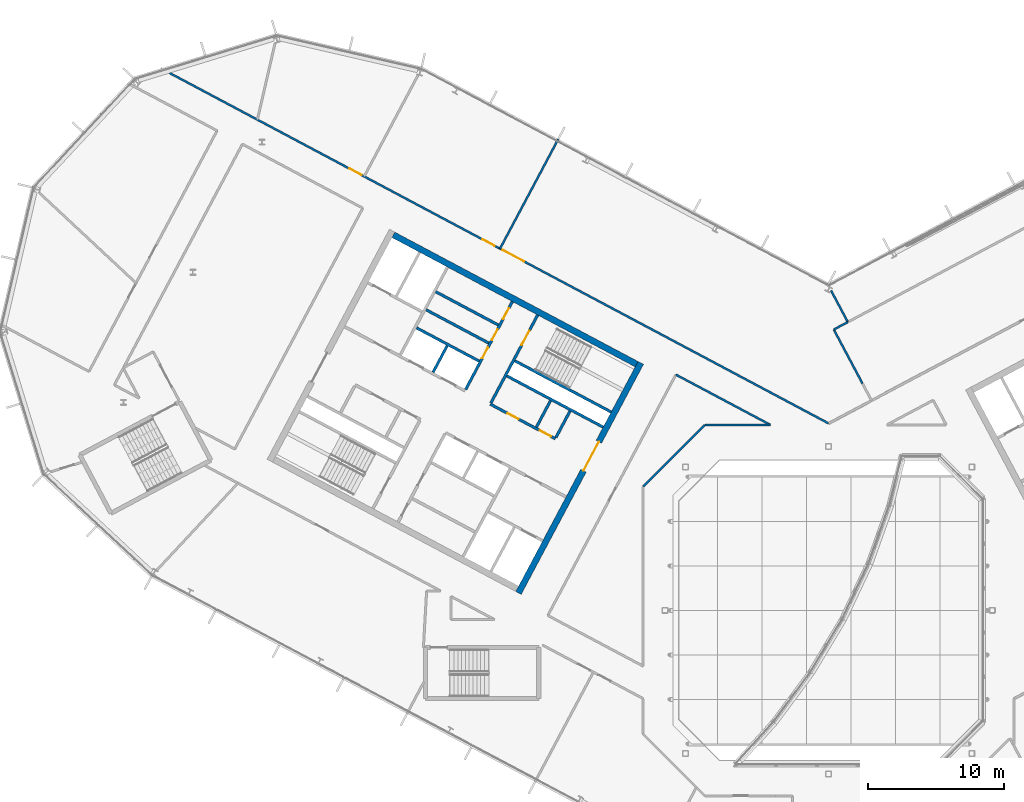
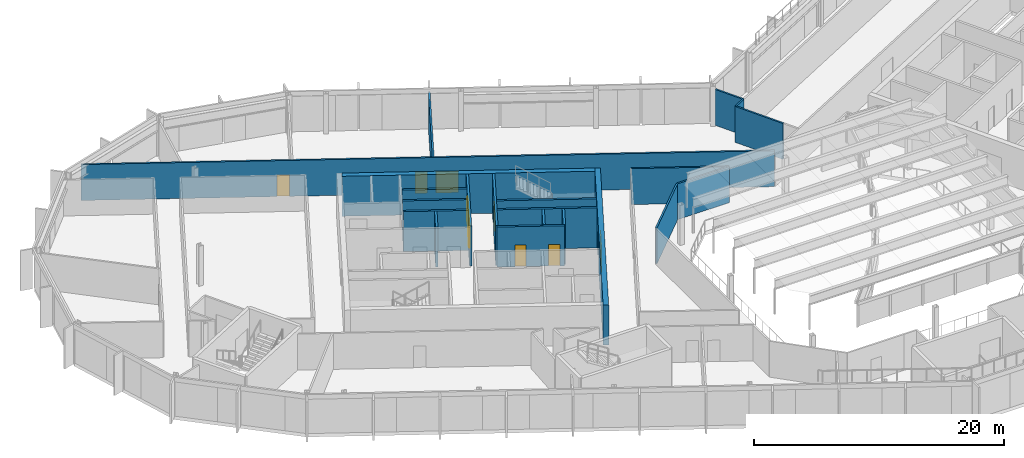
# One storey, part 25 of 35: 21 walls, 10 doors, 10 openings.
"""IFC4 building model written with IfcOpenShell, lengths in metres."""

from ifc_helpers import new_model, si_unit, direction, frame, frame_2d, origin, place, context, subcontext, project, spatial, rectangle, extrude, material, layer, layer_set, type_object, element, fill, save


model = new_model("IFC4")

# Units and contexts
model_context = context("Model", 3, precision=1e-05, world=origin(), true_north=direction((0.0, 1.0)))
body_context = subcontext(model_context, "Body", "Model", "MODEL_VIEW")
ifc_project = project(units=[si_unit("LENGTHUNIT", "METRE"), si_unit("AREAUNIT", "SQUARE_METRE"), si_unit("VOLUMEUNIT", "CUBIC_METRE"), si_unit("PLANEANGLEUNIT", "RADIAN"), si_unit("MASSUNIT", "GRAM", prefix="KILO")], contexts=[model_context])

# Site, building, storey
site_placement = place(None, origin())
site = spatial("IfcSite", under=ifc_project, at=site_placement, CompositionType="ELEMENT")
building_placement = place(site_placement, origin())
building = spatial("IfcBuilding", under=site, at=building_placement, Name="Cormorant Relay Tower", CompositionType="ELEMENT")
storey_placement = place(building_placement, frame((0.0, 0.0, 324.300048828125)))
storey = spatial("IfcBuildingStorey", under=building, at=storey_placement, Name="L74", CompositionType="ELEMENT", Elevation=324.300048828125)

# Walls
ifc_material_1 = material(Name="Concrete 40 MPa", Category="concrete")
ifc_layer_1 = layer(ifc_material_1, 0.199951171875)
ifc_layer_set_1 = layer_set([ifc_layer_1], Name="Core internal wall 200")
wall_type_1 = type_object("IfcWallType", Name="Core internal wall 200", PredefinedType="SOLIDWALL", material=ifc_layer_set_1)
for number, where, z_axis, x_axis, name in (
    (1, (-20.39013671875, 15.371826171875, 0.0), (0.0, 0.0, 1.0), (-0.4694473164, -0.882960484464, 0.0), "L74 core A shaft and room wall"),
    (2, (-27.9658203125, 19.39990234375, 0.0), (0.0, 0.0, 1.0), (-0.4694473164, -0.882960484464, 0.0), "L74 core A shaft and room wall"),
):
    element("IfcWall", number, at=place(storey_placement, frame(where, z_axis=z_axis, x_axis=x_axis)), inside=storey, type_object=wall_type_1, Name=name, PredefinedType="SOLIDWALL", context=body_context, shape_type="SweptSolid", body=[
        extrude(rectangle(XDim=2.199951171875, YDim=0.199951171875, at=frame_2d((1.10009765625, 0.0))), origin(), (0.0, 0.0, 1.0), 3.89990234375),
    ])
wall_1_placement = place(storey_placement, frame((-24.214599609375, 20.91650390625, 0.0), z_axis=(0.0, 0.0, 1.0), x_axis=(-0.882964314875, 0.469440111896, 0.0)))
element("IfcWall", 3, at=wall_1_placement, inside=storey, type_object=wall_type_1, Name="L74 core A shaft and room wall", PredefinedType="SOLIDWALL", context=body_context, shape_type="SweptSolid", body=[
    extrude(rectangle(XDim=5.2001953125, YDim=0.199951171875, at=frame_2d((2.60009765625, 0.0))), origin(), (0.0, 0.0, 1.0), 3.89990234375),
])
wall_2_placement = place(storey_placement, frame((-24.9189453125, 19.592041015625, 0.0), z_axis=(0.0, 0.0, 1.0), x_axis=(-0.882953967957, 0.469459572775, 0.0)))
element("IfcWall", 4, at=wall_2_placement, inside=storey, type_object=wall_type_1, Name="L74 core A shaft and room wall", PredefinedType="SOLIDWALL", context=body_context, shape_type="SweptSolid", body=[
    extrude(rectangle(XDim=5.199951171875, YDim=0.199951171875, at=frame_2d((2.60009765625, 0.0))), origin(), (0.0, 0.0, 1.0), 3.89990234375),
])
ifc_material_2 = material(Name="Concrete 50 MPa", Category="concrete")
ifc_layer_2 = layer(ifc_material_2, 0.199951171875)
ifc_layer_set_2 = layer_set([ifc_layer_2], Name="Core shaft wall 200")
wall_type_2 = type_object("IfcWallType", Name="Core shaft wall 200", PredefinedType="SHEAR", material=ifc_layer_set_2)
wall_3_placement = place(storey_placement, frame((-18.959716796875, 14.611328125, 0.0), z_axis=(0.0, 0.0, 1.0), x_axis=(-0.4694473164, -0.882960484464, 0.0)))
element("IfcWall", 5, at=wall_3_placement, inside=storey, type_object=wall_type_2, Name="L74 core A shaft wall", PredefinedType="SHEAR", context=body_context, shape_type="SweptSolid", body=[
    extrude(rectangle(XDim=2.199951171875, YDim=0.199951171875, at=frame_2d((1.10009765625, 0.0))), origin(), (0.0, 0.0, 1.0), 3.89990234375),
])

# Wall, opening, door
wall_4_placement = place(storey_placement, frame((-21.333251953125, 21.6494140625, 0.0), z_axis=(0.0, 0.0, 1.0), x_axis=(-0.469494272526, -0.882935517501, 0.0)))
wall_4 = element("IfcWall", 6, at=wall_4_placement, inside=storey, type_object=wall_type_2, Name="L74 core A shaft wall", PredefinedType="SHEAR", context=body_context, shape_type="SweptSolid", body=[
    extrude(rectangle(XDim=7.2998046875, YDim=0.199951171875, at=frame_2d((3.64990234375, 0.0))), origin(), (0.0, 0.0, 1.0), 3.89990234375),
])
opening_1_placement = place(wall_4_placement, frame((1.300048828125, 0.0, 0.0)))
opening_1 = element("IfcOpeningElement", 7, at=opening_1_placement, cuts=wall_4, Name="Opening CDB-038", PredefinedType="OPENING", context=body_context, shape_type="SweptSolid", body=[
    extrude(rectangle(XDim=1.199951171875, YDim=2.10009765625, at=frame_2d((0.60009765625, 1.050048828125))), frame((0.0, 0.10986328125, 0.0), z_axis=(0.0, -1.0, 0.0), x_axis=(1.0, 0.0, 0.0)), (0.0, 0.0, 1.0), 0.219970703125),
])
ifc_material_3 = material(Name="Steel fire door", Category="steel")
door_type_1 = type_object("IfcDoorType", Name="Core stair door 1200x2100", OperationType="SINGLE_SWING_LEFT", PredefinedType="DOOR", material=ifc_material_3)
door_1_placement = place(opening_1_placement, origin())
door_1 = element("IfcDoor", 8, at=door_1_placement, inside=storey, type_object=door_type_1, Name="Core stair door 1200x2100", OperationType="SINGLE_SWING_RIGHT", OverallHeight=2.10009765625, OverallWidth=1.199951171875, PredefinedType="DOOR", context=body_context, shape_type="SweptSolid", body=[
    extrude(rectangle(XDim=1.199951171875, YDim=2.10009765625, at=frame_2d((0.60009765625, 1.050048828125))), frame((0.0, 0.02490234375, 0.0), z_axis=(0.0, -1.0, 0.0), x_axis=(1.0, 0.0, 0.0)), (0.0, 0.0, 1.0), 0.050048828125),
])
fill(opening_1, door_1)

# Wall, openings, doors
wall_5_placement = place(storey_placement, frame((-23.1875, 22.635498046875, 0.0), z_axis=(0.0, 0.0, 1.0), x_axis=(-0.469454336211, -0.882956752176, 0.0)))
wall_5 = element("IfcWall", 9, at=wall_5_placement, inside=storey, type_object=wall_type_2, Name="L74 core A shaft wall", PredefinedType="SHEAR", context=body_context, shape_type="SweptSolid", body=[
    extrude(rectangle(XDim=7.300048828125, YDim=0.199951171875, at=frame_2d((3.64990234375, 0.0))), origin(), (0.0, 0.0, 1.0), 3.89990234375),
])
opening_2_placement = place(wall_5_placement, frame((0.550048828125, 0.0, 0.0)))
opening_2 = element("IfcOpeningElement", 10, at=opening_2_placement, cuts=wall_5, Name="Opening CDD-257", PredefinedType="OPENING", context=body_context, shape_type="SweptSolid", body=[
    extrude(rectangle(XDim=0.89990234375, YDim=2.10009765625, at=frame_2d((0.449951171875, 1.050048828125))), frame((0.0, 0.10986328125, 0.0), z_axis=(0.0, -1.0, 0.0), x_axis=(1.0, 0.0, 0.0)), (0.0, 0.0, 1.0), 0.219970703125),
])
opening_3_placement = place(wall_5_placement, frame((2.300048828125, 0.0, 0.0)))
opening_3 = element("IfcOpeningElement", 11, at=opening_3_placement, cuts=wall_5, Name="Opening CDD-258", PredefinedType="OPENING", context=body_context, shape_type="SweptSolid", body=[
    extrude(rectangle(XDim=0.89990234375, YDim=2.10009765625, at=frame_2d((0.449951171875, 1.050048828125))), frame((0.0, 0.10986328125, 0.0), z_axis=(0.0, -1.0, 0.0), x_axis=(1.0, 0.0, 0.0)), (0.0, 0.0, 1.0), 0.219970703125),
])
opening_4_placement = place(wall_5_placement, frame((3.800048828125, 0.0, 0.0)))
opening_4 = element("IfcOpeningElement", 12, at=opening_4_placement, cuts=wall_5, Name="Opening CDD-259", PredefinedType="OPENING", context=body_context, shape_type="SweptSolid", body=[
    extrude(rectangle(XDim=0.89990234375, YDim=2.10009765625, at=frame_2d((0.449951171875, 1.050048828125))), frame((0.0, 0.10986328125, 0.0), z_axis=(0.0, -1.0, 0.0), x_axis=(1.0, 0.0, 0.0)), (0.0, 0.0, 1.0), 0.219970703125),
])
ifc_material_4 = material(Name="Steel fire door", Category="steel")
door_type_2 = type_object("IfcDoorType", Name="Core room door 900x2100", OperationType="SINGLE_SWING_LEFT", PredefinedType="DOOR", material=ifc_material_4)
door_2_placement = place(opening_2_placement, origin())
door_2 = element("IfcDoor", 13, at=door_2_placement, inside=storey, type_object=door_type_2, Name="Core room door 900x2100", OperationType="SINGLE_SWING_LEFT", OverallHeight=2.10009765625, OverallWidth=0.89990234375, PredefinedType="DOOR", context=body_context, shape_type="SweptSolid", body=[
    extrude(rectangle(XDim=0.89990234375, YDim=2.10009765625, at=frame_2d((0.449951171875, 1.050048828125))), frame((0.0, 0.02490234375, 0.0), z_axis=(0.0, -1.0, 0.0), x_axis=(1.0, 0.0, 0.0)), (0.0, 0.0, 1.0), 0.050048828125),
])
fill(opening_2, door_2)
door_3_placement = place(opening_3_placement, origin())
door_3 = element("IfcDoor", 14, at=door_3_placement, inside=storey, type_object=door_type_2, Name="Core room door 900x2100", OperationType="SINGLE_SWING_LEFT", OverallHeight=2.10009765625, OverallWidth=0.89990234375, PredefinedType="DOOR", context=body_context, shape_type="SweptSolid", body=[
    extrude(rectangle(XDim=0.89990234375, YDim=2.10009765625, at=frame_2d((0.449951171875, 1.050048828125))), frame((0.0, 0.02490234375, 0.0), z_axis=(0.0, -1.0, 0.0), x_axis=(1.0, 0.0, 0.0)), (0.0, 0.0, 1.0), 0.050048828125),
])
fill(opening_3, door_3)
door_4_placement = place(opening_4_placement, origin())
door_4 = element("IfcDoor", 15, at=door_4_placement, inside=storey, type_object=door_type_2, Name="Core room door 900x2100", OperationType="SINGLE_SWING_LEFT", OverallHeight=2.10009765625, OverallWidth=0.89990234375, PredefinedType="DOOR", context=body_context, shape_type="SweptSolid", body=[
    extrude(rectangle(XDim=0.89990234375, YDim=2.10009765625, at=frame_2d((0.449951171875, 1.050048828125))), frame((0.0, 0.02490234375, 0.0), z_axis=(0.0, -1.0, 0.0), x_axis=(1.0, 0.0, 0.0)), (0.0, 0.0, 1.0), 0.050048828125),
])
fill(opening_4, door_4)

# Walls
wall_6_placement = place(storey_placement, frame((-15.94189453125, 14.53564453125, 0.0), z_axis=(0.0, 0.0, 1.0), x_axis=(-0.882946947542, 0.469472776449, 0.0)))
element("IfcWall", 16, at=wall_6_placement, inside=storey, type_object=wall_type_2, Name="L74 core A shaft wall", PredefinedType="SHEAR", context=body_context, shape_type="SweptSolid", body=[
    extrude(rectangle(XDim=8.000244140625, YDim=0.199951171875, at=frame_2d((4.0, 0.0))), origin(), (0.0, 0.0, 1.0), 3.89990234375),
])
wall_7_placement = place(storey_placement, frame((-16.52880859375, 13.43212890625, 0.0), z_axis=(0.0, 0.0, 1.0), x_axis=(-0.88295287151, 0.469461634952, 0.0)))
element("IfcWall", 17, at=wall_7_placement, inside=storey, type_object=wall_type_2, Name="L74 core A shaft wall", PredefinedType="SHEAR", context=body_context, shape_type="SweptSolid", body=[
    extrude(rectangle(XDim=7.999755859375, YDim=0.199951171875, at=frame_2d((4.0, 0.0))), origin(), (0.0, 0.0, 1.0), 3.89990234375),
])
wall_8_placement = place(storey_placement, frame((-25.623046875, 18.267578125, 0.0), z_axis=(0.0, 0.0, 1.0), x_axis=(-0.882953967957, 0.469459572775, 0.0)))
element("IfcWall", 18, at=wall_8_placement, inside=storey, type_object=wall_type_2, Name="L74 core A shaft wall", PredefinedType="SHEAR", context=body_context, shape_type="SweptSolid", body=[
    extrude(rectangle(XDim=5.199951171875, YDim=0.199951171875, at=frame_2d((2.60009765625, 0.0))), origin(), (0.0, 0.0, 1.0), 3.89990234375),
])

# Wall, openings, doors
wall_9_placement = place(storey_placement, frame((-20.03955078125, 12.58056640625, 0.0), z_axis=(0.0, 0.0, 1.0), x_axis=(-0.882942972946, 0.469480251476, 0.0)))
wall_9 = element("IfcWall", 19, at=wall_9_placement, inside=storey, type_object=wall_type_2, Name="L74 core A shaft wall", PredefinedType="SHEAR", context=body_context, shape_type="SweptSolid", body=[
    extrude(rectangle(XDim=5.39990234375, YDim=0.199951171875, at=frame_2d((2.699951171875, 0.0))), origin(), (0.0, 0.0, 1.0), 3.89990234375),
])
opening_5_placement = place(wall_9_placement, frame((0.360107421875, 0.0, 0.0)))
opening_5 = element("IfcOpeningElement", 20, at=opening_5_placement, cuts=wall_9, Name="Opening CDD-337", PredefinedType="OPENING", context=body_context, shape_type="SweptSolid", body=[
    extrude(rectangle(XDim=0.89990234375, YDim=2.10009765625, at=frame_2d((0.449951171875, 1.050048828125))), frame((0.0, 0.10986328125, 0.0), z_axis=(0.0, -1.0, 0.0), x_axis=(1.0, 0.0, 0.0)), (0.0, 0.0, 1.0), 0.219970703125),
])
opening_6_placement = place(wall_9_placement, frame((3.06005859375, 0.0, 0.0)))
opening_6 = element("IfcOpeningElement", 21, at=opening_6_placement, cuts=wall_9, Name="Opening CDD-323", PredefinedType="OPENING", context=body_context, shape_type="SweptSolid", body=[
    extrude(rectangle(XDim=0.89990234375, YDim=2.10009765625, at=frame_2d((0.449951171875, 1.050048828125))), frame((0.0, 0.10986328125, 0.0), z_axis=(0.0, -1.0, 0.0), x_axis=(1.0, 0.0, 0.0)), (0.0, 0.0, 1.0), 0.219970703125),
])
door_5_placement = place(opening_5_placement, frame((0.89990234375, 0.0, 0.0), z_axis=(0.0, 0.0, 1.0), x_axis=(-1.0, 0.0, 0.0)))
door_5 = element("IfcDoor", 22, at=door_5_placement, inside=storey, type_object=door_type_2, Name="Core room door 900x2100", OperationType="SINGLE_SWING_RIGHT", OverallHeight=2.10009765625, OverallWidth=0.89990234375, PredefinedType="DOOR", context=body_context, shape_type="SweptSolid", body=[
    extrude(rectangle(XDim=0.89990234375, YDim=2.10009765625, at=frame_2d((0.449951171875, 1.050048828125))), frame((0.0, 0.02490234375, 0.0), z_axis=(0.0, -1.0, 0.0), x_axis=(1.0, 0.0, 0.0)), (0.0, 0.0, 1.0), 0.050048828125),
])
fill(opening_5, door_5)
door_6_placement = place(opening_6_placement, origin())
door_6 = element("IfcDoor", 23, at=door_6_placement, inside=storey, type_object=door_type_2, Name="Core room door 900x2100", OperationType="SINGLE_SWING_LEFT", OverallHeight=2.10009765625, OverallWidth=0.89990234375, PredefinedType="DOOR", context=body_context, shape_type="SweptSolid", body=[
    extrude(rectangle(XDim=0.89990234375, YDim=2.10009765625, at=frame_2d((0.449951171875, 1.050048828125))), frame((0.0, 0.02490234375, 0.0), z_axis=(0.0, -1.0, 0.0), x_axis=(1.0, 0.0, 0.0)), (0.0, 0.0, 1.0), 0.050048828125),
])
fill(opening_6, door_6)

# Wall, opening, door
ifc_material_5 = material(Name="Concrete 50 MPa", Category="concrete")
ifc_layer_3 = layer(ifc_material_5, 0.449951171875)
ifc_layer_set_3 = layer_set([ifc_layer_3], Name="Core wall 450")
wall_type_3 = type_object("IfcWallType", Name="Core wall 450", PredefinedType="SHEAR", material=ifc_layer_set_3)
wall_10_placement = place(storey_placement, frame((-13.771484375, 18.138427734375, 0.0), z_axis=(0.0, 0.0, 1.0), x_axis=(-0.469467968382, -0.882949504028, 0.0)))
wall_10 = element("IfcWall", 24, at=wall_10_placement, inside=storey, type_object=wall_type_3, Name="L74 core A wall", PredefinedType="SHEAR", context=body_context, shape_type="SweptSolid", body=[
    extrude(rectangle(XDim=19.099853515625, YDim=0.449951171875, at=frame_2d((9.5498046875, 0.0))), origin(), (0.0, 0.0, 1.0), 3.89990234375),
])
opening_7_placement = place(wall_10_placement, frame((6.550048828125, 0.0, 0.0)))
opening_7 = element("IfcOpeningElement", 25, at=opening_7_placement, cuts=wall_10, Name="Opening CDA-054", PredefinedType="OPENING", context=body_context, shape_type="SweptSolid", body=[
    extrude(rectangle(XDim=2.39990234375, YDim=2.39990234375, at=frame_2d((1.199951171875, 1.199951171875))), frame((0.0, 0.23486328125, 0.0), z_axis=(0.0, -1.0, 0.0), x_axis=(1.0, 0.0, 0.0)), (0.0, 0.0, 1.0), 0.469970703125),
])
ifc_material_6 = material(Name="Steel fire door", Category="steel")
door_type_3 = type_object("IfcDoorType", Name="Core lobby door 2400x2400", OperationType="DOUBLE_DOOR_SINGLE_SWING", PredefinedType="DOOR", material=ifc_material_6)
door_7_placement = place(opening_7_placement, frame((2.39990234375, 0.0, 0.0), z_axis=(0.0, 0.0, 1.0), x_axis=(-1.0, 0.0, 0.0)))
door_7 = element("IfcDoor", 26, at=door_7_placement, inside=storey, type_object=door_type_3, Name="Core lobby door 2400x2400", OperationType="DOUBLE_DOOR_SINGLE_SWING", OverallHeight=2.39990234375, OverallWidth=2.39990234375, PredefinedType="DOOR", context=body_context, shape_type="SweptSolid", body=[
    extrude(rectangle(XDim=2.39990234375, YDim=2.39990234375, at=frame_2d((1.199951171875, 1.199951171875))), frame((0.0, 0.02490234375, 0.0), z_axis=(0.0, -1.0, 0.0), x_axis=(1.0, 0.0, 0.0)), (0.0, 0.0, 1.0), 0.050048828125),
])
fill(opening_7, door_7)

# Wall
wall_11_placement = place(storey_placement, frame((-14.07568359375, 18.04541015625, 0.0), z_axis=(0.0, 0.0, 1.0), x_axis=(-0.882947755831, 0.46947125628, 0.0)))
element("IfcWall", 27, at=wall_11_placement, inside=storey, type_object=wall_type_3, Name="L74 core A wall", PredefinedType="SHEAR", context=body_context, shape_type="SweptSolid", body=[
    extrude(rectangle(XDim=20.2001953125, YDim=0.449951171875, at=frame_2d((10.10009765625, 0.0))), origin(), (0.0, 0.0, 1.0), 3.89990234375),
])

# Wall, openings, doors
ifc_material_7 = material(Name="Gypsum board fire partition")
ifc_layer_4 = layer(ifc_material_7, 0.14990234375)
ifc_layer_set_4 = layer_set([ifc_layer_4], Name="Corridor partition 150 EI 60")
wall_type_4 = type_object("IfcWallType", Name="Corridor partition 150 EI 60", PredefinedType="PARTITIONING", material=ifc_layer_set_4)
wall_12_placement = place(storey_placement, frame((-48.947021484375, 39.72998046875, 0.0), z_axis=(0.0, 0.0, 1.0), x_axis=(0.882945454821, -0.469475583828, 0.0)))
wall_12 = element("IfcWall", 28, at=wall_12_placement, inside=storey, type_object=wall_type_4, Name="wall/L74/part/007", PredefinedType="PARTITIONING", context=body_context, shape_type="SweptSolid", body=[
    extrude(rectangle(XDim=55.43603515625, YDim=0.14990234375, at=frame_2d((27.718017578125, 0.0))), origin(), (0.0, 0.0, 1.0), 3.5),
])
opening_8_placement = place(wall_12_placement, frame((28.35009765625, 0.0, 0.0)))
opening_8 = element("IfcOpeningElement", 29, at=opening_8_placement, cuts=wall_12, Name="Opening DD-049", PredefinedType="OPENING", context=body_context, shape_type="SweptSolid", body=[
    extrude(rectangle(XDim=1.800048828125, YDim=2.10009765625, at=frame_2d((0.89990234375, 1.050048828125))), frame((0.0, 0.0849609375, 0.0), z_axis=(0.0, -1.0, 0.0), x_axis=(1.0, 0.0, 0.0)), (0.0, 0.0, 1.0), 0.169921875),
])
opening_9_placement = place(wall_12_placement, frame((26.699951171875, 0.0, 0.0)))
opening_9 = element("IfcOpeningElement", 30, at=opening_9_placement, cuts=wall_12, Name="Opening DS-291", PredefinedType="OPENING", context=body_context, shape_type="SweptSolid", body=[
    extrude(rectangle(XDim=1.0, YDim=2.10009765625, at=frame_2d((0.5, 1.050048828125))), frame((0.0, 0.0849609375, 0.0), z_axis=(0.0, -1.0, 0.0), x_axis=(1.0, 0.0, 0.0)), (0.0, 0.0, 1.0), 0.169921875),
])
opening_10_placement = place(wall_12_placement, frame((15.64990234375, 0.0, 0.0)))
opening_10 = element("IfcOpeningElement", 31, at=opening_10_placement, cuts=wall_12, Name="Opening DS-292", PredefinedType="OPENING", context=body_context, shape_type="SweptSolid", body=[
    extrude(rectangle(XDim=1.0, YDim=2.10009765625, at=frame_2d((0.5, 1.050048828125))), frame((0.0, 0.0849609375, 0.0), z_axis=(0.0, -1.0, 0.0), x_axis=(1.0, 0.0, 0.0)), (0.0, 0.0, 1.0), 0.169921875),
])
ifc_material_8 = material(Name="Timber door leaf", Category="wood")
door_type_4 = type_object("IfcDoorType", Name="Suite door 1000x2100", OperationType="SINGLE_SWING_LEFT", PredefinedType="DOOR", material=ifc_material_8)
door_8_placement = place(opening_9_placement, origin())
door_8 = element("IfcDoor", 32, at=door_8_placement, inside=storey, type_object=door_type_4, Name="door/L74/014", OperationType="SINGLE_SWING_RIGHT", OverallHeight=2.10009765625, OverallWidth=1.0, PredefinedType="DOOR", context=body_context, shape_type="SweptSolid", body=[
    extrude(rectangle(XDim=1.0, YDim=2.10009765625, at=frame_2d((0.5, 1.050048828125))), frame((0.0, 0.02490234375, 0.0), z_axis=(0.0, -1.0, 0.0), x_axis=(1.0, 0.0, 0.0)), (0.0, 0.0, 1.0), 0.050048828125),
])
fill(opening_9, door_8)
door_9_placement = place(opening_10_placement, origin())
door_9 = element("IfcDoor", 33, at=door_9_placement, inside=storey, type_object=door_type_4, Name="door/L74/015", OperationType="SINGLE_SWING_RIGHT", OverallHeight=2.10009765625, OverallWidth=1.0, PredefinedType="DOOR", context=body_context, shape_type="SweptSolid", body=[
    extrude(rectangle(XDim=1.0, YDim=2.10009765625, at=frame_2d((0.5, 1.050048828125))), frame((0.0, 0.02490234375, 0.0), z_axis=(0.0, -1.0, 0.0), x_axis=(1.0, 0.0, 0.0)), (0.0, 0.0, 1.0), 0.050048828125),
])
fill(opening_10, door_9)
ifc_material_9 = material(Name="Timber door leaf", Category="wood")
door_type_5 = type_object("IfcDoorType", Name="Suite double door 1800x2100", OperationType="DOUBLE_DOOR_SINGLE_SWING", PredefinedType="DOOR", material=ifc_material_9)
door_10_placement = place(opening_8_placement, origin())
door_10 = element("IfcDoor", 34, at=door_10_placement, inside=storey, type_object=door_type_5, Name="door/L74/013", OperationType="DOUBLE_DOOR_SINGLE_SWING", OverallHeight=2.10009765625, OverallWidth=1.800048828125, PredefinedType="DOOR", context=body_context, shape_type="SweptSolid", body=[
    extrude(rectangle(XDim=1.800048828125, YDim=2.10009765625, at=frame_2d((0.89990234375, 1.050048828125))), frame((0.0, 0.02490234375, 0.0), z_axis=(0.0, -1.0, 0.0), x_axis=(1.0, 0.0, 0.0)), (0.0, 0.0, 1.0), 0.050048828125),
])
fill(opening_8, door_10)

# Walls
wall_13_placement = place(storey_placement, frame((-11.197998046875, 17.280029296875, 0.0), z_axis=(0.0, 0.0, 1.0), x_axis=(0.882946288452, -0.46947401601, 0.0)))
element("IfcWall", 35, at=wall_13_placement, inside=storey, type_object=wall_type_4, Name="wall/L74/part/052", PredefinedType="PARTITIONING", context=body_context, shape_type="SweptSolid", body=[
    extrude(rectangle(XDim=7.83837890625, YDim=0.14990234375, at=frame_2d((3.919189453125, 0.0))), origin(), (0.0, 0.0, 1.0), 3.5),
])
wall_14_placement = place(storey_placement, frame((-4.277099609375, 13.60009765625, 0.0), z_axis=(0.0, 0.0, 1.0), x_axis=(-1.0, 0.0, 0.0)))
element("IfcWall", 36, at=wall_14_placement, inside=storey, type_object=wall_type_4, Name="wall/L74/part/053", PredefinedType="PARTITIONING", context=body_context, shape_type="SweptSolid", body=[
    extrude(rectangle(XDim=4.7998046875, YDim=0.14990234375, at=frame_2d((2.39990234375, 0.0))), origin(), (0.0, 0.0, 1.0), 3.5),
])
wall_15_placement = place(storey_placement, frame((-9.076904296875, 13.60009765625, 0.0), z_axis=(0.0, 0.0, 1.0), x_axis=(-0.707106781187, -0.707106781187, 0.0)))
element("IfcWall", 37, at=wall_15_placement, inside=storey, type_object=wall_type_4, Name="wall/L74/part/054", PredefinedType="PARTITIONING", context=body_context, shape_type="SweptSolid", body=[
    extrude(rectangle(XDim=6.396728515625, YDim=0.14990234375, at=frame_2d((3.1982421875, 0.0))), origin(), (0.0, 0.0, 1.0), 3.5),
])
ifc_material_10 = material(Name="Gypsum board partition")
ifc_layer_5 = layer(ifc_material_10, 0.14990234375)
ifc_layer_set_5 = layer_set([ifc_layer_5], Name="Tenant partition 150")
wall_type_5 = type_object("IfcWallType", Name="Tenant partition 150", PredefinedType="PARTITIONING", material=ifc_layer_set_5)
wall_16_placement = place(storey_placement, frame((-19.822021484375, 34.550048828125, 0.0), z_axis=(0.0, 0.0, 1.0), x_axis=(-0.46943766298, -0.882965616871, 0.0)))
element("IfcWall", 38, at=wall_16_placement, inside=storey, type_object=wall_type_5, Name="wall/L74/part/019", PredefinedType="PARTITIONING", context=body_context, shape_type="SweptSolid", body=[
    extrude(rectangle(XDim=9.10009765625, YDim=0.14990234375, at=frame_2d((4.550048828125, 0.0))), origin(), (0.0, 0.0, 1.0), 3.5),
])
wall_17_placement = place(storey_placement, frame((0.177978515625, 23.449951171875, 0.0), z_axis=(0.0, 0.0, 1.0), x_axis=(0.469495603372, -0.882934809833, 0.0)))
element("IfcWall", 39, at=wall_17_placement, inside=storey, type_object=wall_type_5, Name="wall/L74/part/033", PredefinedType="PARTITIONING", context=body_context, shape_type="SweptSolid", body=[
    extrude(rectangle(XDim=2.621826171875, YDim=0.14990234375, at=frame_2d((1.31103515625, 0.0))), origin(), (0.0, 0.0, 1.0), 3.5),
])
wall_18_placement = place(storey_placement, frame((2.487060546875, 16.6240234375, 0.0), z_axis=(0.0, 0.0, 1.0), x_axis=(-0.469563370993, 0.882898771447, 0.0)))
element("IfcWall", 40, at=wall_18_placement, inside=storey, type_object=wall_type_5, Name="wall/L74/part/036", PredefinedType="PARTITIONING", context=body_context, shape_type="SweptSolid", body=[
    extrude(rectangle(XDim=4.489501953125, YDim=0.14990234375, at=frame_2d((2.24462890625, 0.0))), origin(), (0.0, 0.0, 1.0), 3.5),
])
wall_19_placement = place(storey_placement, frame((1.405029296875, 21.133056640625, 0.0), z_axis=(0.0, 0.0, 1.0), x_axis=(-0.882753784089, -0.469835882704, 0.0)))
element("IfcWall", 41, at=wall_19_placement, inside=storey, type_object=wall_type_5, Name="wall/L74/part/037", PredefinedType="PARTITIONING", context=body_context, shape_type="SweptSolid", body=[
    extrude(rectangle(XDim=1.162353515625, YDim=0.14990234375, at=frame_2d((0.5810546875, 0.0))), origin(), (0.0, 0.0, 1.0), 3.5),
])

save(model, "model.ifc")
